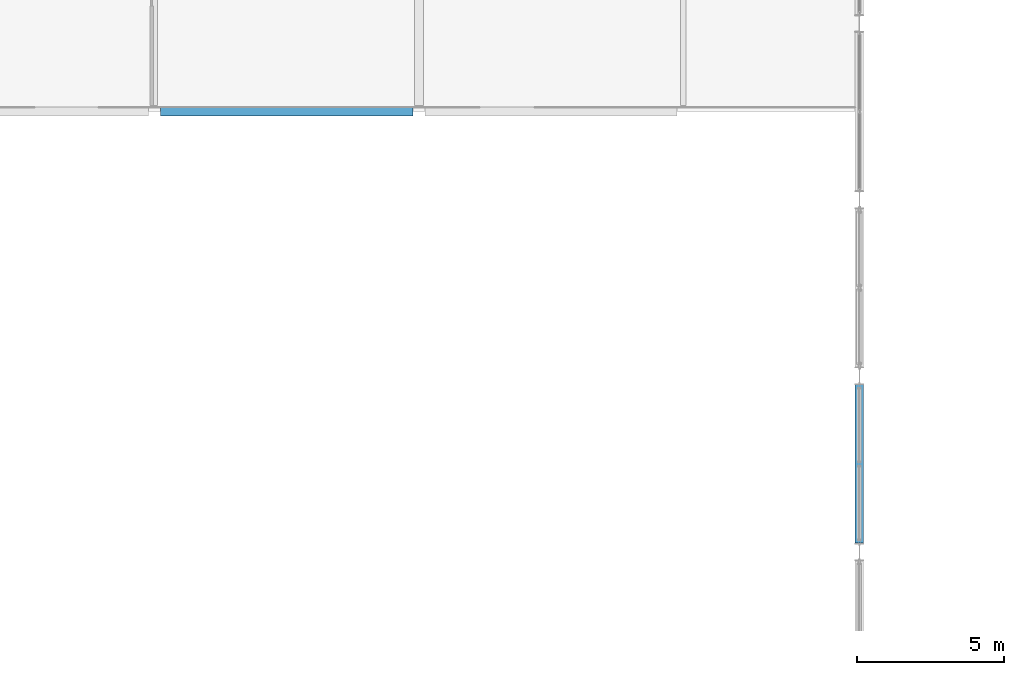
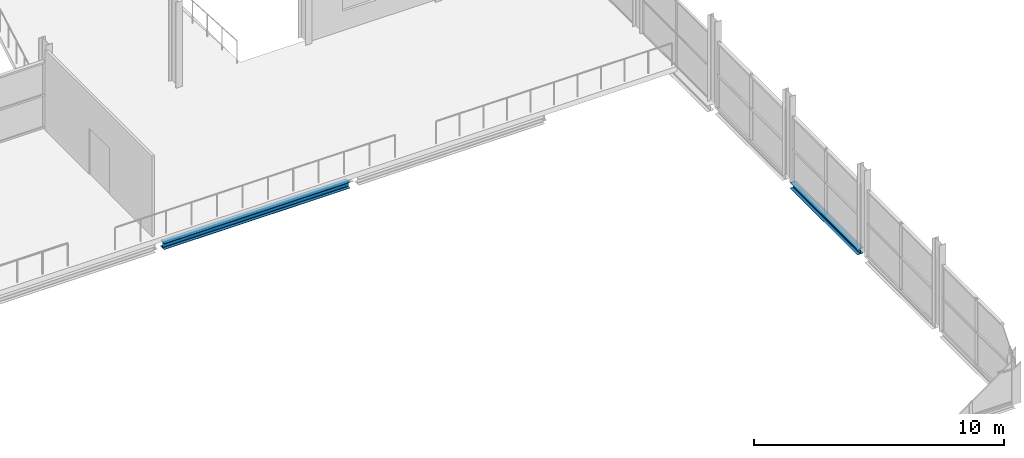
# One storey, part 33 of 135: 2 beams.
"""IFC4 building model written with IfcOpenShell, lengths in metres."""

from ifc_helpers import new_model, si_unit, direction, frame, origin, origin_2d, place, context, subcontext, project, spatial, i_section, extrude, material, material_profile, profile_set, type_object, element, save


model = new_model("IFC4")

# Units and contexts
model_context = context("Model", 3, precision=1e-05, world=origin(), true_north=direction((0.0, 1.0)))
body_context = subcontext(model_context, "Body", "Model", "MODEL_VIEW")
ifc_project = project(units=[si_unit("LENGTHUNIT", "METRE"), si_unit("AREAUNIT", "SQUARE_METRE"), si_unit("VOLUMEUNIT", "CUBIC_METRE"), si_unit("PLANEANGLEUNIT", "RADIAN"), si_unit("MASSUNIT", "GRAM", prefix="KILO")], contexts=[model_context])

# Site, building, storey
site_placement = place(None, origin())
site = spatial("IfcSite", under=ifc_project, at=site_placement, CompositionType="ELEMENT")
building_placement = place(site_placement, origin())
building = spatial("IfcBuilding", under=site, at=building_placement, Name="Deido Ridge Mobility Hub", CompositionType="ELEMENT")
storey_placement = place(building_placement, frame((0.0, 0.0, 4.199951171875)))
storey = spatial("IfcBuildingStorey", under=building, at=storey_placement, Name="L01", CompositionType="ELEMENT", Elevation=4.199951171875)

# Beams
ifc_material = material(Name="Steel S355J2 EN 10025-2", Category="steel")
ifc_material_profile_1 = material_profile(ifc_material, i_section(OverallWidth=0.280029296875, OverallDepth=0.27001953125, WebThickness=0.008056640625, FlangeThickness=0.012939453125, FilletRadius=0.02392578125, at=origin_2d()), Name="HEA 280")
ifc_profile_set_1 = profile_set([ifc_material_profile_1], Name="Steel S355J2 EN 10025-2")
beam_type_1 = type_object("IfcBeamType", Name="SPD-HEA280", PredefinedType="SPANDREL", material=ifc_profile_set_1)
beam_1_placement = place(storey_placement, frame((60.0, 12.300048828125, -0.135009765625), z_axis=(0.0, 1.0, 0.0), x_axis=(-1.0, 0.0, 0.0)))
element("IfcBeam", 1, at=beam_1_placement, inside=storey, type_object=beam_type_1, Name="Concourse perimeter wind girt SP2", PredefinedType="SPANDREL", context=body_context, shape_type="SweptSolid", body=[
    extrude(i_section(OverallWidth=0.280029296875, OverallDepth=0.27001953125, WebThickness=0.008056640625, FlangeThickness=0.012939453125, FilletRadius=0.02392578125, at=origin_2d()), origin(), (0.0, 0.0, 1.0), 5.39990234375),
])
ifc_material_profile_2 = material_profile(ifc_material, i_section(OverallWidth=0.300048828125, OverallDepth=0.300048828125, WebThickness=0.010986328125, FlangeThickness=0.01904296875, FilletRadius=0.027099609375, at=origin_2d()), Name="HEB 300")
ifc_profile_set_2 = profile_set([ifc_material_profile_2], Name="Steel S355J2 EN 10025-2")
beam_type_2 = type_object("IfcBeamType", Name="SPD-HEB300", PredefinedType="SPANDREL", material=ifc_profile_set_2)
beam_2_placement = place(storey_placement, frame((36.203125, 27.0, -0.39990234375), z_axis=(1.0, 0.0, 0.0), x_axis=(0.0, 1.0, 0.0)))
element("IfcBeam", 2, at=beam_2_placement, inside=storey, type_object=beam_type_2, Name="Floor beam SP1", PredefinedType="SPANDREL", context=body_context, shape_type="SweptSolid", body=[
    extrude(i_section(OverallWidth=0.300048828125, OverallDepth=0.300048828125, WebThickness=0.010986328125, FlangeThickness=0.01904296875, FilletRadius=0.027099609375, at=origin_2d()), origin(), (0.0, 0.0, 1.0), 8.59375),
])

save(model, "model.ifc")
